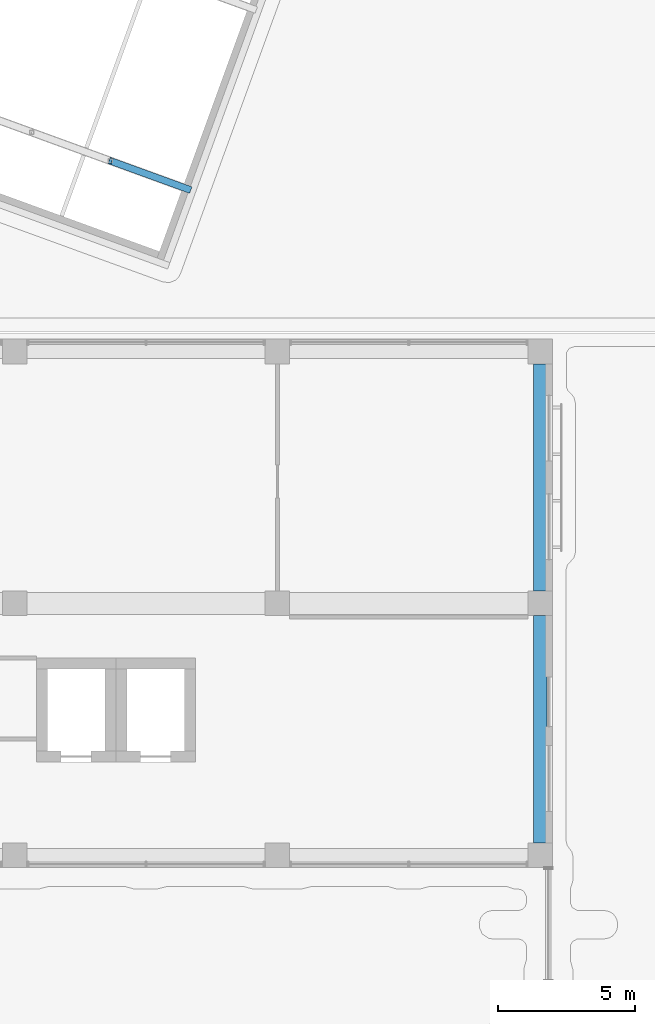
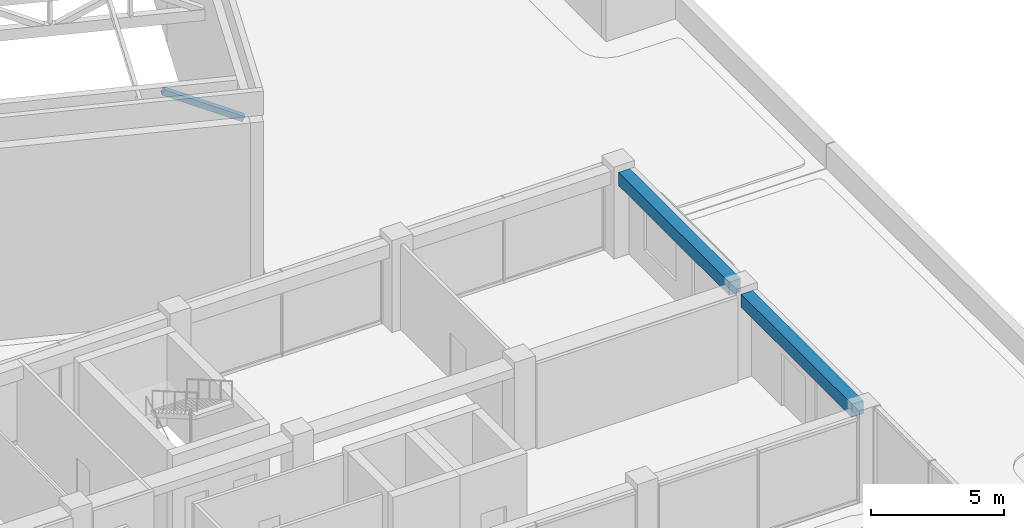
# One storey, part 31 of 72: 2 beams, 1 member.
"""IFC4 building model written with IfcOpenShell, lengths in metres."""

from ifc_helpers import new_model, si_unit, direction, frame, origin, origin_2d, place, context, subcontext, project, spatial, rectangle, hollow_rectangle, extrude, material, material_profile, profile_set, type_object, element, save


model = new_model("IFC4")

# Units and contexts
model_context = context("Model", 3, precision=1e-05, world=origin(), true_north=direction((0.0, 1.0)))
body_context = subcontext(model_context, "Body", "Model", "MODEL_VIEW")
ifc_project = project(units=[si_unit("LENGTHUNIT", "METRE"), si_unit("AREAUNIT", "SQUARE_METRE"), si_unit("VOLUMEUNIT", "CUBIC_METRE"), si_unit("PLANEANGLEUNIT", "RADIAN"), si_unit("MASSUNIT", "GRAM", prefix="KILO")], contexts=[model_context])

# Site, building, storey
site_placement = place(None, origin())
site = spatial("IfcSite", under=ifc_project, at=site_placement, CompositionType="ELEMENT")
building_placement = place(site_placement, origin())
building = spatial("IfcBuilding", under=site, at=building_placement, Name="Nzadi Deep Aquarium and Research Tower", CompositionType="ELEMENT")
storey_placement = place(building_placement, frame((0.0, 0.0, 31.89990234375)))
storey = spatial("IfcBuildingStorey", under=building, at=storey_placement, Name="L05", CompositionType="ELEMENT", Elevation=31.89990234375)

# Beams
ifc_material_1 = material(Name="Concrete C35/45", Category="concrete")
ifc_material_profile_1 = material_profile(ifc_material_1, rectangle(XDim=0.5, YDim=0.60009765625, at=origin_2d()))
ifc_profile_set_1 = profile_set([ifc_material_profile_1], Name="Concrete C35/45")
beam_type = type_object("IfcBeamType", Name="RC 500x600", PredefinedType="BEAM", material=ifc_profile_set_1)
for number, where, z_axis, x_axis, name in (
    (1, (48.0, 28.050048828125, 3.60009765625), (0.0, 1.0, 0.0), (-1.0, 0.0, 0.0), "B-Z1-L05-CF-1-4"),
    (2, (48.0, 37.25, 3.60009765625), (0.0, 1.0, 0.0), (-1.0, 0.0, 0.0), "B-Z1-L05-CF-2-4"),
):
    element("IfcBeam", number, at=place(storey_placement, frame(where, z_axis=z_axis, x_axis=x_axis)), inside=storey, type_object=beam_type, Name=name, PredefinedType="BEAM", context=body_context, shape_type="SweptSolid", body=[
        extrude(rectangle(XDim=0.5, YDim=0.60009765625, at=origin_2d()), origin(), (0.0, 0.0, 1.0), 8.300048828125),
    ])

# Member
ifc_material_2 = material(Name="Steel S355", Category="steel")
ifc_material_profile_2 = material_profile(ifc_material_2, hollow_rectangle(XDim=0.25, YDim=0.25, WallThickness=0.01611328125, at=origin_2d()))
ifc_profile_set_2 = profile_set([ifc_material_profile_2], Name="Steel S355")
member_type = type_object("IfcMemberType", Name="RHS 250x250x16 brace", PredefinedType="BRACE", material=ifc_profile_set_2)
member_placement = place(storey_placement, frame((32.30322265625, 52.96240234375, 8.550048828125), z_axis=(0.832867607406, -0.303201400134, -0.463033972286), x_axis=(0.342082290984, 0.939669998561, 0.0)))
element("IfcMember", 3, at=member_placement, inside=storey, type_object=member_type, Name="MB-PR-R1-T1-D8", PredefinedType="BRACE", context=body_context, shape_type="SweptSolid", body=[
    extrude(hollow_rectangle(XDim=0.25, YDim=0.25, WallThickness=0.01611328125, at=origin_2d()), origin(), (0.0, 0.0, 1.0), 3.455078125),
])

save(model, "model.ifc")
